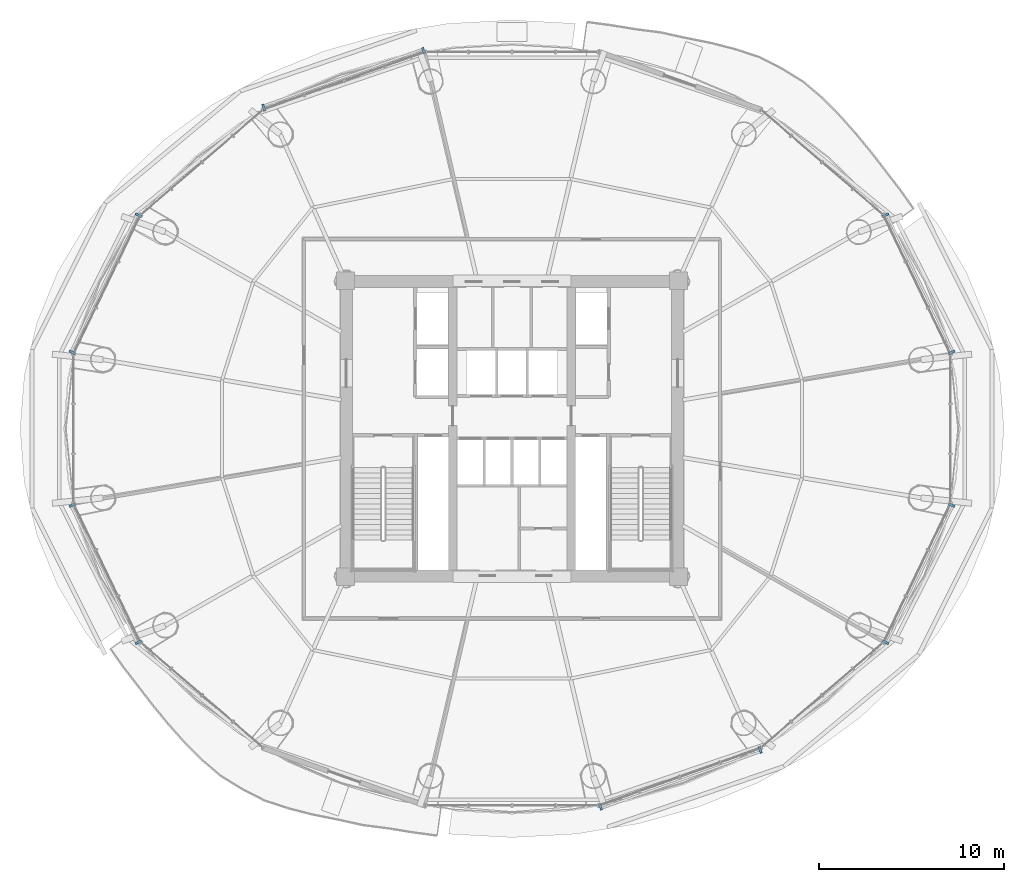
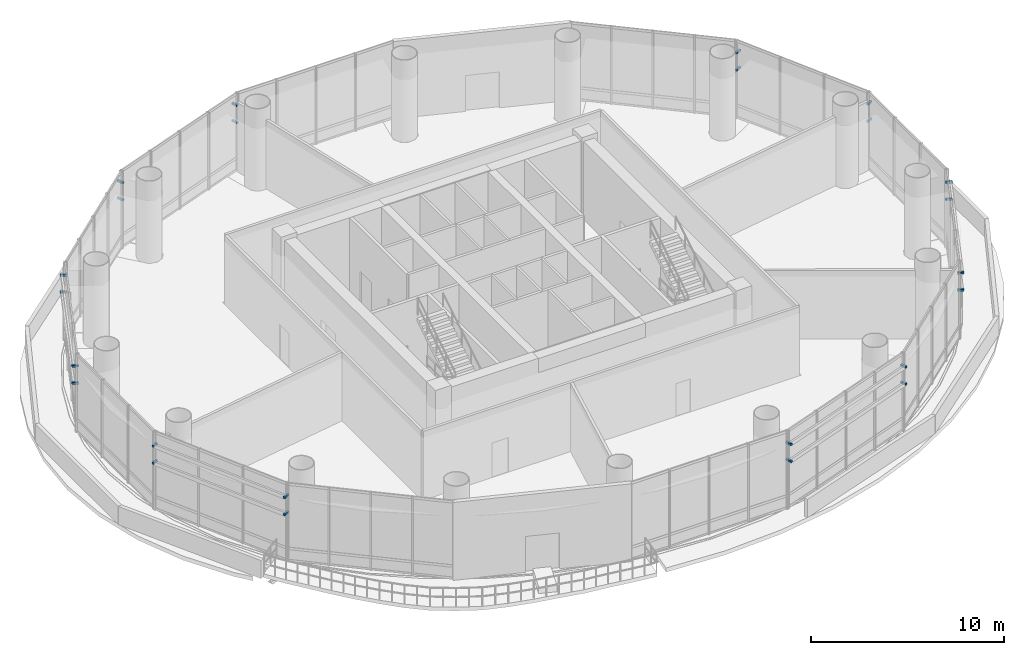
# One storey, part 24 of 29: 24 discrete accessories.
"""IFC4 building model written with IfcOpenShell, lengths in metres."""

from ifc_helpers import new_model, si_unit, direction, frame, origin, origin_2d, place, context, subcontext, project, spatial, rectangle, extrude, source, transform, mapped, material, layer, layer_set, type_object, element, save


model = new_model("IFC4")

# Units and contexts
model_context = context("Model", 3, precision=1e-05, world=origin(), true_north=direction((-0.2419218956, 0.970295726276)))
body_context = subcontext(model_context, "Body", "Model", "MODEL_VIEW")
ifc_project = project(units=[si_unit("LENGTHUNIT", "METRE"), si_unit("AREAUNIT", "SQUARE_METRE"), si_unit("VOLUMEUNIT", "CUBIC_METRE"), si_unit("PLANEANGLEUNIT", "RADIAN"), si_unit("MASSUNIT", "GRAM", prefix="KILO")], contexts=[model_context])

# Site, building, storey
site_placement = place(None, origin())
site = spatial("IfcSite", under=ifc_project, at=site_placement, CompositionType="ELEMENT")
building_placement = place(site_placement, origin())
building = spatial("IfcBuilding", under=site, at=building_placement, Name="Cobrevalo Terracotta Tower", CompositionType="ELEMENT")
storey_placement = place(building_placement, frame((0.0, 0.0, 130.199951171875)))
storey = spatial("IfcBuildingStorey", under=building, at=storey_placement, Name="L34", CompositionType="ELEMENT", Elevation=130.199951171875)

# Discrete accessories
ifc_material = material(Name="Brushed stainless steel", Category="steel")
ifc_layer = layer(ifc_material, 0.1201171875)
ifc_layer_set = layer_set([ifc_layer], Name="Brushed stainless steel")
discrete_accessory_type = type_object("IfcDiscreteAccessoryType", Name="Stainless Steel Facade & Canopy Support Bracket", PredefinedType="BRACKET", material=ifc_layer_set)
shared_shape = source(origin(), body_context, "Body", "SweptSolid", [
    extrude(rectangle(XDim=0.1201171875, YDim=0.360107421875, at=origin_2d()), origin(), (0.0, 0.0, 1.0), 0.1201171875),
])
for number, where, z_axis, x_axis, name in (
    (1, (61.769287109375, 30.92724609375, 2.99658203125), (0.0, 0.0, 1.0), (-0.434209440271, 0.900811945957, 0.0), "CW-SK-L34-S01 stainless baguette support bracket 1-A"),
    (2, (58.195068359375, 38.34228515625, 2.99658203125), (0.0, 0.0, 1.0), (-0.434209440271, 0.900811945957, 0.0), "CW-SK-L34-S01 stainless baguette support bracket 1-B"),
    (3, (61.769287109375, 30.92724609375, 4.081298828125), (0.0, 0.0, 1.0), (-0.434209440271, 0.900811945957, 0.0), "CW-SK-L34-S01 stainless baguette support bracket 2-A"),
    (4, (58.195068359375, 38.34228515625, 4.081298828125), (0.0, 0.0, 1.0), (-0.434209440271, 0.900811945957, 0.0), "CW-SK-L34-S01 stainless baguette support bracket 2-B"),
    (5, (33.216796875, 47.2421875, 2.99658203125), (0.0, 0.0, 1.0), (-0.942098428897, -0.335336473217, 0.0), "CW-SK-L34-S05 stainless baguette support bracket 1-A"),
    (6, (24.579345703125, 44.167724609375, 2.99658203125), (0.0, 0.0, 1.0), (-0.942098428897, -0.335336473217, 0.0), "CW-SK-L34-S05 stainless baguette support bracket 1-B"),
    (7, (33.216796875, 47.2421875, 4.081298828125), (0.0, 0.0, 1.0), (-0.942098428897, -0.335336473217, 0.0), "CW-SK-L34-S05 stainless baguette support bracket 2-A"),
    (8, (24.579345703125, 44.167724609375, 4.081298828125), (0.0, 0.0, 1.0), (-0.942098428897, -0.335336473217, 0.0), "CW-SK-L34-S05 stainless baguette support bracket 2-B"),
    (9, (17.804931640625, 38.34228515625, 2.99658203125), (0.0, 0.0, 1.0), (-0.434209440271, -0.900811945957, 0.0), "CW-SK-L34-S07 stainless baguette support bracket 1-A"),
    (10, (14.230712890625, 30.92724609375, 2.99658203125), (0.0, 0.0, 1.0), (-0.434209440271, -0.900811945957, 0.0), "CW-SK-L34-S07 stainless baguette support bracket 1-B"),
    (11, (17.804931640625, 38.34228515625, 4.081298828125), (0.0, 0.0, 1.0), (-0.434209440271, -0.900811945957, 0.0), "CW-SK-L34-S07 stainless baguette support bracket 2-A"),
    (12, (14.230712890625, 30.92724609375, 4.081298828125), (0.0, 0.0, 1.0), (-0.434209440271, -0.900811945957, 0.0), "CW-SK-L34-S07 stainless baguette support bracket 2-B"),
    (13, (14.230712890625, 22.6728515625, 2.99658203125), (0.0, 0.0, 1.0), (0.434209440271, -0.900811945957, 0.0), "CW-SK-L34-S09 stainless baguette support bracket 1-A"),
    (14, (17.804931640625, 15.2578125, 2.99658203125), (0.0, 0.0, 1.0), (0.434209440271, -0.900811945957, 0.0), "CW-SK-L34-S09 stainless baguette support bracket 1-B"),
    (15, (14.230712890625, 22.6728515625, 4.081298828125), (0.0, 0.0, 1.0), (0.434209440271, -0.900811945957, 0.0), "CW-SK-L34-S09 stainless baguette support bracket 2-A"),
    (16, (17.804931640625, 15.2578125, 4.081298828125), (0.0, 0.0, 1.0), (0.434209440271, -0.900811945957, 0.0), "CW-SK-L34-S09 stainless baguette support bracket 2-B"),
    (17, (42.783203125, 6.357666015625, 2.99658203125), (0.0, 0.0, 1.0), (0.942098428897, 0.335336473217, 0.0), "CW-SK-L34-S13 stainless baguette support bracket 1-A"),
    (18, (51.420654296875, 9.43212890625, 2.99658203125), (0.0, 0.0, 1.0), (0.942098428897, 0.335336473217, 0.0), "CW-SK-L34-S13 stainless baguette support bracket 1-B"),
    (19, (42.783203125, 6.357666015625, 4.081298828125), (0.0, 0.0, 1.0), (0.942098428897, 0.335336473217, 0.0), "CW-SK-L34-S13 stainless baguette support bracket 2-A"),
    (20, (51.420654296875, 9.43212890625, 4.081298828125), (0.0, 0.0, 1.0), (0.942098428897, 0.335336473217, 0.0), "CW-SK-L34-S13 stainless baguette support bracket 2-B"),
    (21, (58.195068359375, 15.2578125, 2.99658203125), (0.0, 0.0, 1.0), (0.434209440271, 0.900811945957, 0.0), "CW-SK-L34-S15 stainless baguette support bracket 1-A"),
    (22, (61.769287109375, 22.6728515625, 2.99658203125), (0.0, 0.0, 1.0), (0.434209440271, 0.900811945957, 0.0), "CW-SK-L34-S15 stainless baguette support bracket 1-B"),
    (23, (58.195068359375, 15.2578125, 4.081298828125), (0.0, 0.0, 1.0), (0.434209440271, 0.900811945957, 0.0), "CW-SK-L34-S15 stainless baguette support bracket 2-A"),
    (24, (61.769287109375, 22.6728515625, 4.081298828125), (0.0, 0.0, 1.0), (0.434209440271, 0.900811945957, 0.0), "CW-SK-L34-S15 stainless baguette support bracket 2-B"),
):
    element("IfcDiscreteAccessory", number, at=place(storey_placement, frame(where, z_axis=z_axis, x_axis=x_axis)), inside=storey, type_object=discrete_accessory_type, Name=name, PredefinedType="BRACKET", context=body_context, shape_type="MappedRepresentation", body=[
        mapped(shared_shape, transform((0.0, 0.0, 0.0), scale=1.0)),
    ])

save(model, "model.ifc")
